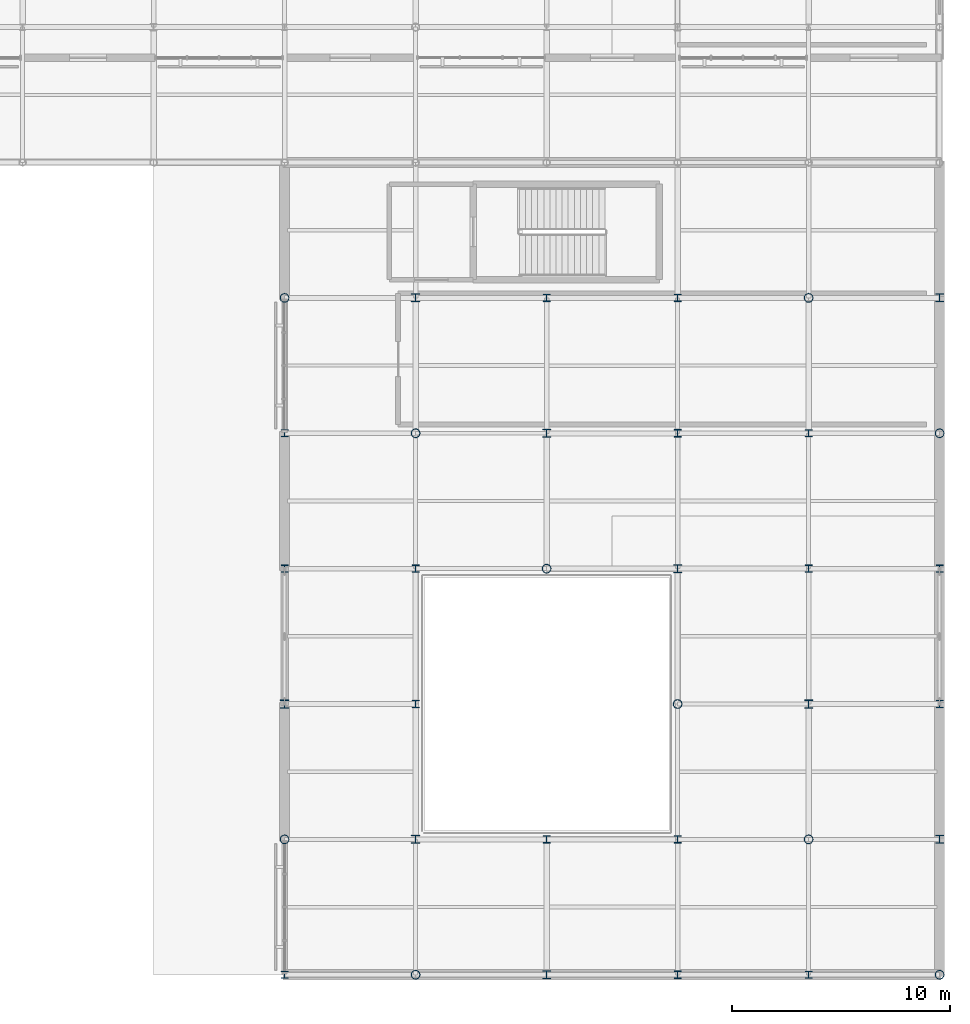
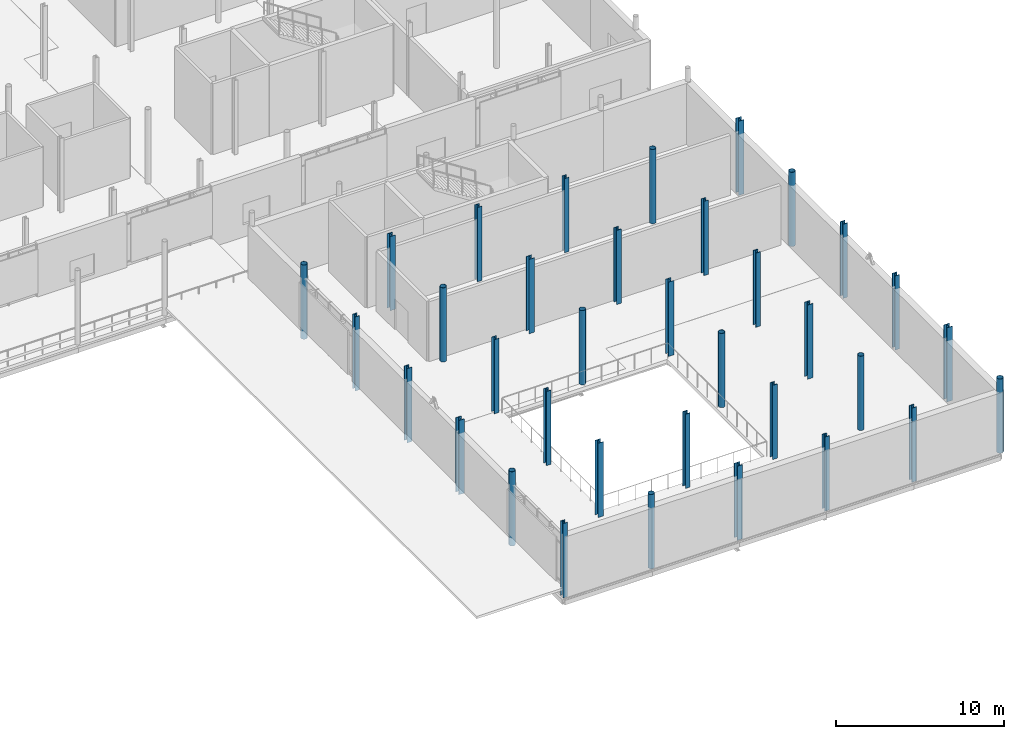
# One storey, part 13 of 105: 35 columns.
"""IFC4 building model written with IfcOpenShell, lengths in metres."""

from ifc_helpers import new_model, si_unit, direction, frame, origin, origin_2d, place, context, subcontext, project, spatial, hollow_circle, i_section, extrude, material, material_profile, profile_set, type_object, element, save


model = new_model("IFC4")

# Units and contexts
model_context = context("Model", 3, precision=1e-05, world=origin(), true_north=direction((0.0, 1.0)))
body_context = subcontext(model_context, "Body", "Model", "MODEL_VIEW")
ifc_project = project(units=[si_unit("LENGTHUNIT", "METRE"), si_unit("AREAUNIT", "SQUARE_METRE"), si_unit("VOLUMEUNIT", "CUBIC_METRE"), si_unit("PLANEANGLEUNIT", "RADIAN"), si_unit("MASSUNIT", "GRAM", prefix="KILO")], contexts=[model_context])

# Site, building, storey
site_placement = place(None, origin())
site = spatial("IfcSite", under=ifc_project, at=site_placement, CompositionType="ELEMENT")
building_placement = place(site_placement, origin())
building = spatial("IfcBuilding", under=site, at=building_placement, Name="Mirzam Square Science Centre", CompositionType="ELEMENT")
storey_placement = place(building_placement, frame((0.0, 0.0, 5.39990234375)))
storey = spatial("IfcBuildingStorey", under=building, at=storey_placement, Name="L01", CompositionType="ELEMENT", Elevation=5.39990234375)

# Columns
ifc_material = material(Name="Steel S355", Category="steel")
ifc_material_profile_1 = material_profile(ifc_material, hollow_circle(Radius=0.203125, WallThickness=0.01611328125, at=origin_2d()), Name="406.4x16.0CHS")
ifc_profile_set_1 = profile_set([ifc_material_profile_1], Name="Steel S355")
column_type_1 = type_object("IfcColumnType", Name="COL-CHS406", PredefinedType="COLUMN", material=ifc_profile_set_1)
for number, where, z_axis, x_axis, name in (
    (1, (132.0, 6.199951171875, 0.0), (0.0, 0.0, 1.0), (1.0, 0.0, 0.0), "L01 column G23-02"),
    (2, (132.0, 31.0, 0.0), (0.0, 0.0, 1.0), (1.0, 0.0, 0.0), "L01 column G23-06"),
    (3, (138.0, 0.0, 0.0), (0.0, 0.0, 1.0), (1.0, 0.0, 0.0), "L01 column G24-01"),
    (4, (138.0, 24.800048828125, 0.0), (0.0, 0.0, 1.0), (1.0, 0.0, 0.0), "L01 column G24-05"),
    (5, (144.0, 18.60009765625, 0.0), (0.0, 0.0, 1.0), (1.0, 0.0, 0.0), "L01 column G25-04"),
    (6, (150.0, 12.39990234375, 0.0), (0.0, 0.0, 1.0), (1.0, 0.0, 0.0), "L01 column G26-03"),
    (7, (156.0, 6.199951171875, 0.0), (0.0, 0.0, 1.0), (1.0, 0.0, 0.0), "L01 column G27-02"),
    (8, (156.0, 31.0, 0.0), (0.0, 0.0, 1.0), (1.0, 0.0, 0.0), "L01 column G27-06"),
    (9, (162.0, 0.0, 0.0), (0.0, 0.0, 1.0), (1.0, 0.0, 0.0), "L01 column G28-01"),
    (10, (162.0, 24.800048828125, 0.0), (0.0, 0.0, 1.0), (1.0, 0.0, 0.0), "L01 column G28-05"),
):
    element("IfcColumn", number, at=place(storey_placement, frame(where, z_axis=z_axis, x_axis=x_axis)), inside=storey, type_object=column_type_1, Name=name, PredefinedType="COLUMN", context=body_context, shape_type="SweptSolid", body=[
        extrude(hollow_circle(Radius=0.203125, WallThickness=0.01611328125, at=origin_2d()), origin(), (0.0, 0.0, 1.0), 5.400146484375),
    ])
ifc_material_profile_2 = material_profile(ifc_material, i_section(OverallWidth=0.314453125, OverallDepth=0.33984375, WebThickness=0.01904296875, FlangeThickness=0.031494140625, FilletRadius=0.01513671875, at=origin_2d()), Name="305x305x198UC")
ifc_profile_set_2 = profile_set([ifc_material_profile_2], Name="Steel S355")
column_type_2 = type_object("IfcColumnType", Name="COL-UC305B", PredefinedType="COLUMN", material=ifc_profile_set_2)
for number, where, z_axis, x_axis, name in (
    (11, (132.0, 0.0, 0.0), (0.0, 0.0, 1.0), (1.0, 0.0, 0.0), "L01 column G23-01"),
    (12, (132.0, 24.800048828125, 0.0), (0.0, 0.0, 1.0), (1.0, 0.0, 0.0), "L01 column G23-05"),
    (13, (138.0, 18.60009765625, 0.0), (0.0, 0.0, 1.0), (1.0, 0.0, 0.0), "L01 column G24-04"),
    (14, (150.0, 6.199951171875, 0.0), (0.0, 0.0, 1.0), (1.0, 0.0, 0.0), "L01 column G26-02"),
    (15, (150.0, 31.0, 0.0), (0.0, 0.0, 1.0), (1.0, 0.0, 0.0), "L01 column G26-06"),
    (16, (156.0, 0.0, 0.0), (0.0, 0.0, 1.0), (1.0, 0.0, 0.0), "L01 column G27-01"),
    (17, (156.0, 24.800048828125, 0.0), (0.0, 0.0, 1.0), (1.0, 0.0, 0.0), "L01 column G27-05"),
    (18, (162.0, 18.60009765625, 0.0), (0.0, 0.0, 1.0), (1.0, 0.0, 0.0), "L01 column G28-04"),
):
    element("IfcColumn", number, at=place(storey_placement, frame(where, z_axis=z_axis, x_axis=x_axis)), inside=storey, type_object=column_type_2, Name=name, PredefinedType="COLUMN", context=body_context, shape_type="SweptSolid", body=[
        extrude(i_section(OverallWidth=0.314453125, OverallDepth=0.33984375, WebThickness=0.01904296875, FlangeThickness=0.031494140625, FilletRadius=0.01513671875, at=origin_2d()), origin(), (0.0, 0.0, 1.0), 5.400146484375),
    ])
ifc_material_profile_3 = material_profile(ifc_material, i_section(OverallWidth=0.318359375, OverallDepth=0.3525390625, WebThickness=0.02294921875, FlangeThickness=0.03759765625, FilletRadius=0.01513671875, at=origin_2d()), Name="305x305x240UC")
ifc_profile_set_3 = profile_set([ifc_material_profile_3], Name="Steel S355")
column_type_3 = type_object("IfcColumnType", Name="COL-UC305C", PredefinedType="COLUMN", material=ifc_profile_set_3)
for number, where, z_axis, x_axis, name in (
    (19, (132.0, 18.60009765625, 0.0), (0.0, 0.0, 1.0), (1.0, 0.0, 0.0), "L01 column G23-04"),
    (20, (138.0, 12.39990234375, 0.0), (0.0, 0.0, 1.0), (1.0, 0.0, 0.0), "L01 column G24-03"),
    (21, (144.0, 6.199951171875, 0.0), (0.0, 0.0, 1.0), (1.0, 0.0, 0.0), "L01 column G25-02"),
    (22, (144.0, 31.0, 0.0), (0.0, 0.0, 1.0), (1.0, 0.0, 0.0), "L01 column G25-06"),
    (23, (150.0, 0.0, 0.0), (0.0, 0.0, 1.0), (1.0, 0.0, 0.0), "L01 column G26-01"),
    (24, (150.0, 24.800048828125, 0.0), (0.0, 0.0, 1.0), (1.0, 0.0, 0.0), "L01 column G26-05"),
    (25, (156.0, 18.60009765625, 0.0), (0.0, 0.0, 1.0), (1.0, 0.0, 0.0), "L01 column G27-04"),
    (26, (162.0, 12.39990234375, 0.0), (0.0, 0.0, 1.0), (1.0, 0.0, 0.0), "L01 column G28-03"),
):
    element("IfcColumn", number, at=place(storey_placement, frame(where, z_axis=z_axis, x_axis=x_axis)), inside=storey, type_object=column_type_3, Name=name, PredefinedType="COLUMN", context=body_context, shape_type="SweptSolid", body=[
        extrude(i_section(OverallWidth=0.318359375, OverallDepth=0.3525390625, WebThickness=0.02294921875, FlangeThickness=0.03759765625, FilletRadius=0.01513671875, at=origin_2d()), origin(), (0.0, 0.0, 1.0), 5.400146484375),
    ])
ifc_material_profile_4 = material_profile(ifc_material, i_section(OverallWidth=0.374755859375, OverallDepth=0.37451171875, WebThickness=0.0166015625, FlangeThickness=0.027099609375, FilletRadius=0.01513671875, at=origin_2d()), Name="356x368x202UC")
ifc_profile_set_4 = profile_set([ifc_material_profile_4], Name="Steel S355")
column_type_4 = type_object("IfcColumnType", Name="COL-UC356A", PredefinedType="COLUMN", material=ifc_profile_set_4)
for number, where, z_axis, x_axis, name in (
    (27, (132.0, 12.39990234375, 0.0), (0.0, 0.0, 1.0), (1.0, 0.0, 0.0), "L01 column G23-03"),
    (28, (138.0, 6.199951171875, 0.0), (0.0, 0.0, 1.0), (1.0, 0.0, 0.0), "L01 column G24-02"),
    (29, (138.0, 31.0, 0.0), (0.0, 0.0, 1.0), (1.0, 0.0, 0.0), "L01 column G24-06"),
    (30, (144.0, 0.0, 0.0), (0.0, 0.0, 1.0), (1.0, 0.0, 0.0), "L01 column G25-01"),
    (31, (144.0, 24.800048828125, 0.0), (0.0, 0.0, 1.0), (1.0, 0.0, 0.0), "L01 column G25-05"),
    (32, (150.0, 18.60009765625, 0.0), (0.0, 0.0, 1.0), (1.0, 0.0, 0.0), "L01 column G26-04"),
    (33, (156.0, 12.39990234375, 0.0), (0.0, 0.0, 1.0), (1.0, 0.0, 0.0), "L01 column G27-03"),
    (34, (162.0, 6.199951171875, 0.0), (0.0, 0.0, 1.0), (1.0, 0.0, 0.0), "L01 column G28-02"),
    (35, (162.0, 31.0, 0.0), (0.0, 0.0, 1.0), (1.0, 0.0, 0.0), "L01 column G28-06"),
):
    element("IfcColumn", number, at=place(storey_placement, frame(where, z_axis=z_axis, x_axis=x_axis)), inside=storey, type_object=column_type_4, Name=name, PredefinedType="COLUMN", context=body_context, shape_type="SweptSolid", body=[
        extrude(i_section(OverallWidth=0.374755859375, OverallDepth=0.37451171875, WebThickness=0.0166015625, FlangeThickness=0.027099609375, FilletRadius=0.01513671875, at=origin_2d()), origin(), (0.0, 0.0, 1.0), 5.400146484375),
    ])

save(model, "model.ifc")
